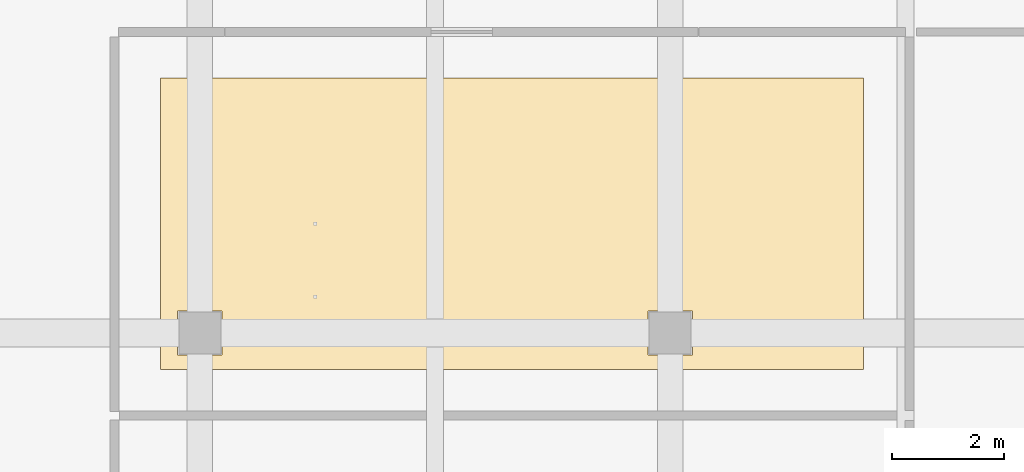
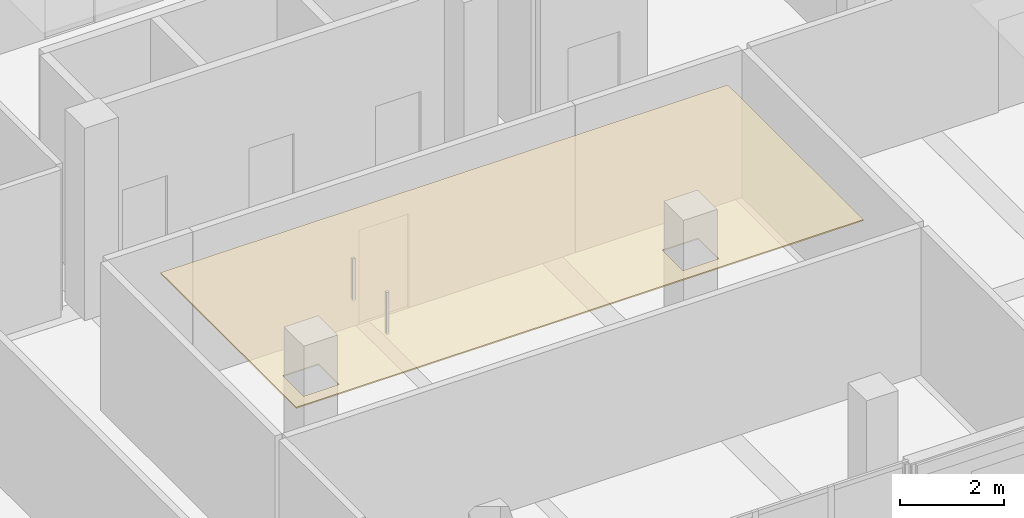
# One storey, part 26 of 35: 1 covering.
"""IFC4 building model written with IfcOpenShell, lengths in metres."""

import ifcopenshell
import ifcopenshell.guid

model = None  # the IFC model being written
_history = None  # IfcOwnerHistory: only IFC2X3 demands one
_inside = {}  # id of a spatial element -> (the spatial element, [elements in it])
_under = {}  # id of a project, library or spatial element -> (it, [spatial elements below it])
_declared = {}  # id of a project -> (the project, [libraries it declares])
_typed = {}  # id of a type object -> (the type object, [elements of that type])
_made_of = {}  # id of a material, layer set ... -> (it, [elements and type objects made of it])


def new_model(schema):
    """Start an empty IFC model of exactly this schema.

    Asked for "IFC4X3", IfcOpenShell would pick the latest addendum, in which some entities
    have other attributes; the version numbers below select the first issue.
    IFC2X3 requires an IfcOwnerHistory on every rooted entity: one is made here for all.
    """
    global model, _history
    if schema == "IFC4X3":
        model = ifcopenshell.file(schema_version=(4, 3, 0, 0))
    else:
        model = ifcopenshell.file(schema=schema)
    _inside.clear()
    _under.clear()
    _declared.clear()
    _typed.clear()
    _made_of.clear()
    _history = None
    if model.schema == "IFC2X3":
        org = make("IfcOrganization", Name="unknown")
        user = make(
            "IfcPersonAndOrganization",
            ThePerson=make("IfcPerson", FamilyName="unknown"),
            TheOrganization=org,
        )
        app = make(
            "IfcApplication",
            ApplicationDeveloper=org,
            Version="unknown",
            ApplicationFullName="unknown",
            ApplicationIdentifier="unknown",
        )
        _history = make(
            "IfcOwnerHistory",
            OwningUser=user,
            OwningApplication=app,
            ChangeAction="ADDED",
            CreationDate=0,
        )
    return model


def make(cls, **values):
    """One entity of the class cls with the attributes given. An attribute that is None is left unset."""
    return model.create_entity(
        cls, **{name: value for name, value in values.items() if value is not None}
    )


def rooted(cls, **values):
    """An entity with a GlobalId (a new one), such as an element, a storey or a relation."""
    return make(cls, GlobalId=ifcopenshell.guid.new(), OwnerHistory=_history, **values)


def si_unit(unit_type, name, prefix=None):
    """IfcSIUnit, for example si_unit("LENGTHUNIT", "METRE", prefix="MILLI")."""
    return make("IfcSIUnit", UnitType=unit_type, Prefix=prefix, Name=name)


def assignment(units):
    """IfcUnitAssignment: the units of a project."""
    return None if units is None else make("IfcUnitAssignment", Units=units)


def point(xyz):
    """IfcCartesianPoint."""
    return None if xyz is None else make("IfcCartesianPoint", Coordinates=xyz)


def direction(xyz):
    """IfcDirection."""
    return None if xyz is None else make("IfcDirection", DirectionRatios=xyz)


def frame(location, z_axis=None, x_axis=None):
    """IfcAxis2Placement3D, a coordinate frame: its origin and axes. An axis left out is left unset."""
    return make(
        "IfcAxis2Placement3D",
        Location=point(location),
        Axis=direction(z_axis),
        RefDirection=direction(x_axis),
    )


def origin():
    """The frame at (0, 0, 0) with its axes left unset."""
    return frame((0.0, 0.0, 0.0))


def place(relative_to, where):
    """IfcLocalPlacement: puts the frame where relative to a parent placement (None: the world)."""
    return make(
        "IfcLocalPlacement", PlacementRelTo=relative_to, RelativePlacement=where
    )


def context(
    kind, dimensions, precision=None, world=None, true_north=None, identifier=None
):
    """IfcGeometricRepresentationContext, for example the 3D "Model" context."""
    return make(
        "IfcGeometricRepresentationContext",
        ContextIdentifier=identifier,
        ContextType=kind,
        CoordinateSpaceDimension=dimensions,
        Precision=precision,
        WorldCoordinateSystem=world,
        TrueNorth=true_north,
    )


def subcontext(parent, identifier, kind, view, scale=None):
    """IfcGeometricRepresentationSubContext, for example "Body" below "Model"."""
    return make(
        "IfcGeometricRepresentationSubContext",
        ContextIdentifier=identifier,
        ContextType=kind,
        ParentContext=parent,
        TargetScale=scale,
        TargetView=view,
    )


def project(units=None, contexts=None):
    """IfcProject with its units and contexts."""
    return rooted(
        "IfcProject",
        Name="project",
        RepresentationContexts=contexts,
        UnitsInContext=assignment(units),
    )


def spatial(cls, under=None, at=None, **own):
    """A site, building, storey or space (cls), placed at a placement, below another one or the project."""
    s = rooted(cls, ObjectPlacement=at, **own)
    if under is not None:
        _under.setdefault(under.id(), (under, []))[1].append(s)
    return s


def polyline(points):
    """IfcPolyline through the points."""
    return make("IfcPolyline", Points=[point(p) for p in points])


def outline(outer, holes=None, kind="AREA"):
    """IfcArbitraryClosedProfileDef: a profile drawn as a closed curve; with holes, ...WithVoids."""
    if holes is None:
        return make("IfcArbitraryClosedProfileDef", ProfileType=kind, OuterCurve=outer)
    return make(
        "IfcArbitraryProfileDefWithVoids",
        ProfileType=kind,
        OuterCurve=outer,
        InnerCurves=holes,
    )


def extrude(swept, where, along, depth):
    """IfcExtrudedAreaSolid: the profile swept, set in the frame where, extruded along a direction by depth."""
    return make(
        "IfcExtrudedAreaSolid",
        SweptArea=swept,
        Position=where,
        ExtrudedDirection=direction(along),
        Depth=depth,
    )


def shape(context_of_items, identifier, shape_type, items):
    """IfcShapeRepresentation: the items that make up one representation, for example the "Body"."""
    return make(
        "IfcShapeRepresentation",
        ContextOfItems=context_of_items,
        RepresentationIdentifier=identifier,
        RepresentationType=shape_type,
        Items=items,
    )


def material(Name=None, Category=None):
    """IfcMaterial."""
    return make("IfcMaterial", Name=Name, Category=Category)


def layer(
    of_material, thickness, ventilated=None, Name=None, Category=None, Priority=None
):
    """IfcMaterialLayer: one layer of a wall or slab, of a material (None: an air gap)."""
    return make(
        "IfcMaterialLayer",
        Material=of_material,
        LayerThickness=thickness,
        IsVentilated=ventilated,
        Name=Name,
        Category=Category,
        Priority=Priority,
    )


def layer_set(layers, Name=None):
    """IfcMaterialLayerSet."""
    return make("IfcMaterialLayerSet", MaterialLayers=layers, LayerSetName=Name)


def made_of(thing, what):
    """Note that an element or type object is made of a material, layer set ...; save() writes the relation."""
    if what is not None:
        _made_of.setdefault(what.id(), (what, []))[1].append(thing)
    return thing


def type_object(cls, material=None, **own):
    """A type object (cls), such as IfcWallType, which elements share."""
    return made_of(rooted(cls, **own), material)


def element(
    cls,
    number,
    at=None,
    inside=None,
    cuts=None,
    type_object=None,
    material=None,
    context=None,
    identifier="Body",
    shape_type=None,
    held_by="IfcProductDefinitionShape",
    body=None,
    shapes=None,
    **own,
):
    """One element of the class cls, such as IfcWall. Its Tag is "e" and its number.

    at: its placement. inside: the storey or other place that contains it. cuts: it is an
    opening in that element (IfcRelVoidsElement). A single representation is given by context,
    identifier, shape_type and body (its items); several are given by shapes. held_by: the class
    of the entity that holds the representations. save() writes the other relations.
    """
    e = rooted(cls, Tag="e%d" % number, ObjectPlacement=at, **own)
    if body is not None:
        shapes = [shape(context, identifier, shape_type, body)]
    if shapes is not None:
        e.Representation = make(held_by, Representations=shapes)
    if inside is not None:
        _inside.setdefault(inside.id(), (inside, []))[1].append(e)
    if cuts is not None:
        rooted(
            "IfcRelVoidsElement", RelatingBuildingElement=cuts, RelatedOpeningElement=e
        )
    if type_object is not None:
        _typed.setdefault(type_object.id(), (type_object, []))[1].append(e)
    return made_of(e, material)


def aggregate(whole, parts):
    """IfcRelAggregates: a whole, such as a stair, and the parts it consists of."""
    return rooted("IfcRelAggregates", RelatingObject=whole, RelatedObjects=parts)


def save(model, path):
    """Write the relations noted so far, then the file.

    IfcRelAggregates (storeys below a building ...), IfcRelContainedInSpatialStructure (elements
    in a storey), IfcRelDefinesByType, IfcRelAssociatesMaterial and IfcRelDeclares: one each for
    every whole, place, type object, material and project.
    """
    for whole, parts in _under.values():
        aggregate(whole, parts)
    for where, things in _inside.values():
        rooted(
            "IfcRelContainedInSpatialStructure",
            RelatedElements=things,
            RelatingStructure=where,
        )
    for kind, things in _typed.values():
        rooted("IfcRelDefinesByType", RelatedObjects=things, RelatingType=kind)
    for what, things in _made_of.values():
        rooted("IfcRelAssociatesMaterial", RelatedObjects=things, RelatingMaterial=what)
    for by, libraries in _declared.values():
        rooted("IfcRelDeclares", RelatingContext=by, RelatedDefinitions=libraries)
    model.write(path)


model = new_model("IFC4")

# Units and contexts
model_context = context("Model", 3, precision=1e-05, world=origin(), true_north=direction((0.0, 1.0)))
body_context = subcontext(model_context, "Body", "Model", "MODEL_VIEW")
ifc_project = project(units=[si_unit("LENGTHUNIT", "METRE"), si_unit("AREAUNIT", "SQUARE_METRE"), si_unit("VOLUMEUNIT", "CUBIC_METRE"), si_unit("PLANEANGLEUNIT", "RADIAN"), si_unit("MASSUNIT", "GRAM", prefix="KILO")], contexts=[model_context])

# Site, building, storey
site_placement = place(None, origin())
site = spatial("IfcSite", under=ifc_project, at=site_placement, CompositionType="ELEMENT")
building_placement = place(site_placement, origin())
building = spatial("IfcBuilding", under=site, at=building_placement, Name="Telukmera Botanical Conservatory", CompositionType="ELEMENT")
storey_placement = place(building_placement, frame((0.0, 0.0, 46.5)))
storey = spatial("IfcBuildingStorey", under=building, at=storey_placement, Name="L10", CompositionType="ELEMENT", Elevation=46.5)

# Covering
ifc_material = material(Name="Mineral fibre acoustic ceiling")
ifc_layer = layer(ifc_material, 0.030029296875)
ifc_layer_set = layer_set([ifc_layer], Name="Mineral fibre acoustic ceiling")
covering_type = type_object("IfcCoveringType", Name="COV-CEIL-30", PredefinedType="CEILING", material=ifc_layer_set)
covering_placement = place(storey_placement, frame((0.0, 0.0, 3.320068359375)))
element("IfcCovering", 1, at=covering_placement, inside=storey, type_object=covering_type, Name="L10 In Vitro Micropropagation Room Suspended Acoustic Ceiling", PredefinedType="CEILING", context=body_context, shape_type="SweptSolid", body=[
    extrude(outline(polyline([(74.89990234375, 16.949951171875), (87.449951171875, 16.949951171875), (87.449951171875, 22.14990234375), (74.89990234375, 22.14990234375), (74.89990234375, 16.949951171875)]), holes=[polyline([(75.205078125, 17.205078125), (75.9951171875, 17.205078125), (75.9951171875, 17.9951171875), (75.205078125, 17.9951171875), (75.205078125, 17.205078125)]), polyline([(83.60498046875, 17.205078125), (84.39501953125, 17.205078125), (84.39501953125, 17.9951171875), (83.60498046875, 17.9951171875), (83.60498046875, 17.205078125)])]), origin(), (0.0, 0.0, 1.0), 0.030029296875),
])

save(model, "model.ifc")
